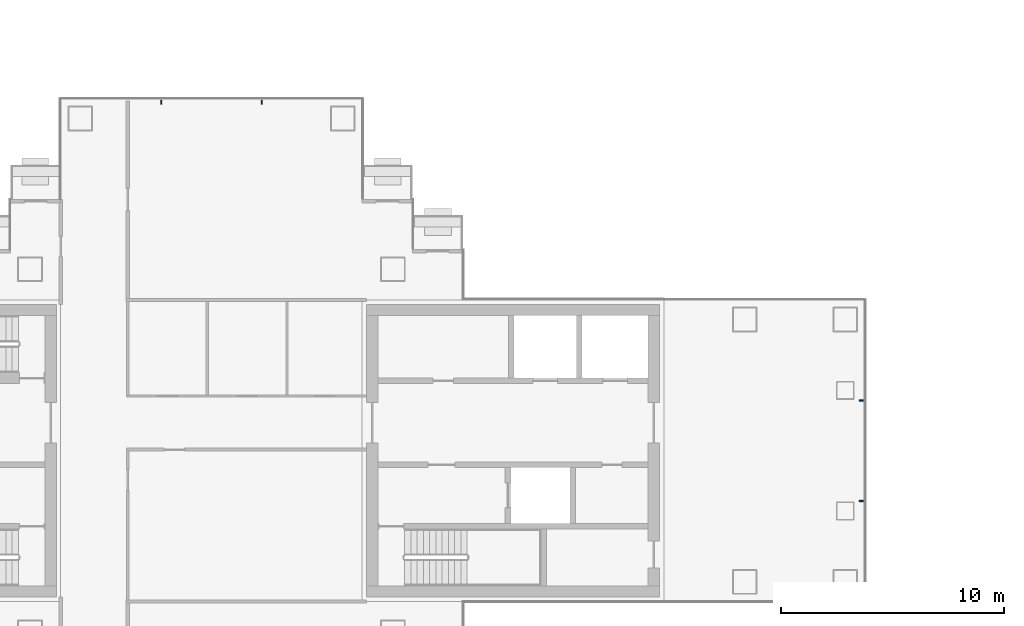
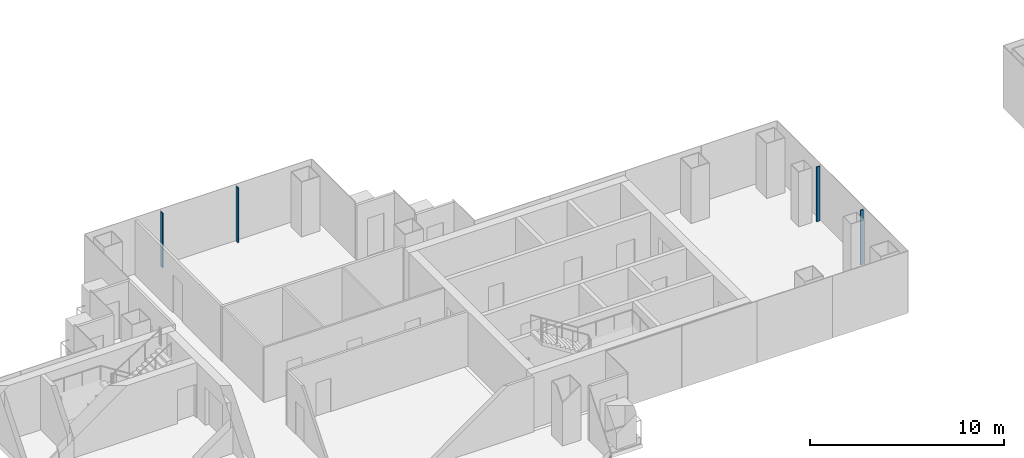
# One storey, part 4 of 17: 4 members, 2 elements without a shape of their own.
"""IFC4 building model written with IfcOpenShell, lengths in metres."""

from ifc_helpers import new_model, si_unit, direction, frame, origin, origin_2d, place, context, subcontext, project, spatial, rectangle, extrude, material, layer, layer_set, material_profile, profile_set, type_object, element, aggregate, save


model = new_model("IFC4")

# Units and contexts
model_context = context("Model", 3, precision=1e-05, world=origin(), true_north=direction((0.0, 1.0)))
body_context = subcontext(model_context, "Body", "Model", "MODEL_VIEW")
ifc_project = project(units=[si_unit("LENGTHUNIT", "METRE"), si_unit("AREAUNIT", "SQUARE_METRE"), si_unit("VOLUMEUNIT", "CUBIC_METRE"), si_unit("PLANEANGLEUNIT", "RADIAN"), si_unit("MASSUNIT", "GRAM", prefix="KILO")], contexts=[model_context])

# Site, building, storey
site_placement = place(None, origin())
site = spatial("IfcSite", under=ifc_project, at=site_placement, CompositionType="ELEMENT")
building_placement = place(site_placement, origin())
building = spatial("IfcBuilding", under=site, at=building_placement, Name="Shamsa Quay Exchange Towers", CompositionType="ELEMENT")
storey_placement = place(building_placement, frame((0.0, 0.0, 174.0)))
storey = spatial("IfcBuildingStorey", under=building, at=storey_placement, Name="L41", CompositionType="ELEMENT", Elevation=174.0)

# Curtain wall, members
ifc_material = material(Name="Aluminium EN AW-6063 T6, black anodised", Category="aluminium")
ifc_layer = layer(ifc_material, 0.280029296875)
ifc_layer_set = layer_set([ifc_layer], Name="CW-1 UNITISED VISION GLASS")
curtain_wall_type = type_object("IfcCurtainWallType", Name="CW-1 UNITISED VISION GLASS", PredefinedType="NOTDEFINED", material=ifc_layer_set)
curtain_wall_1_placement = place(storey_placement, origin())
curtain_wall_1 = element("IfcCurtainWall", 1, at=curtain_wall_1_placement, inside=storey, type_object=curtain_wall_type, Name="CW1 T1-END-U+ L41", PredefinedType="NOTDEFINED")
ifc_material_profile = material_profile(ifc_material, rectangle(XDim=0.179931640625, YDim=0.06005859375, at=origin_2d()), Name="MU60x180")
ifc_profile_set = profile_set([ifc_material_profile], Name="Aluminium EN AW-6063 T6, black anodised")
member_type = type_object("IfcMemberType", Name="CW1 MULLION 60x180", PredefinedType="MULLION", material=ifc_profile_set)
member_1_placement = place(storey_placement, frame((-4.64990234375, -2.25, 0.0), z_axis=(0.0, 0.0, 1.0), x_axis=(-1.0, 0.0, 0.0)))
member_1 = element("IfcMember", 2, at=member_1_placement, type_object=member_type, Name="CW1 mullion", PredefinedType="MULLION", context=body_context, shape_type="SweptSolid", body=[
    extrude(rectangle(XDim=0.179931640625, YDim=0.06005859375, at=origin_2d()), origin(), (0.0, 0.0, 1.0), 3.449951171875),
])
member_2_placement = place(storey_placement, frame((-4.64990234375, 2.25, 0.0), z_axis=(0.0, 0.0, 1.0), x_axis=(-1.0, 0.0, 0.0)))
member_2 = element("IfcMember", 3, at=member_2_placement, type_object=member_type, Name="CW1 mullion", PredefinedType="MULLION", context=body_context, shape_type="SweptSolid", body=[
    extrude(rectangle(XDim=0.179931640625, YDim=0.06005859375, at=origin_2d()), origin(), (0.0, 0.0, 1.0), 3.449951171875),
])
aggregate(curtain_wall_1, [member_1, member_2])

curtain_wall_2_placement = place(storey_placement, origin())
curtain_wall_2 = element("IfcCurtainWall", 4, at=curtain_wall_2_placement, inside=storey, type_object=curtain_wall_type, Name="CW1 T1-END-V+ L41", PredefinedType="NOTDEFINED")
member_3_placement = place(storey_placement, frame((-31.5, 15.60009765625, 0.0), z_axis=(0.0, 0.0, 1.0), x_axis=(0.0, -1.0, 0.0)))
member_3 = element("IfcMember", 5, at=member_3_placement, type_object=member_type, Name="CW1 mullion", PredefinedType="MULLION", context=body_context, shape_type="SweptSolid", body=[
    extrude(rectangle(XDim=0.179931640625, YDim=0.06005859375, at=origin_2d()), origin(), (0.0, 0.0, 1.0), 3.449951171875),
])
member_4_placement = place(storey_placement, frame((-36.0, 15.60009765625, 0.0), z_axis=(0.0, 0.0, 1.0), x_axis=(0.0, -1.0, 0.0)))
member_4 = element("IfcMember", 6, at=member_4_placement, type_object=member_type, Name="CW1 mullion", PredefinedType="MULLION", context=body_context, shape_type="SweptSolid", body=[
    extrude(rectangle(XDim=0.179931640625, YDim=0.06005859375, at=origin_2d()), origin(), (0.0, 0.0, 1.0), 3.449951171875),
])
aggregate(curtain_wall_2, [member_3, member_4])

save(model, "model.ifc")
